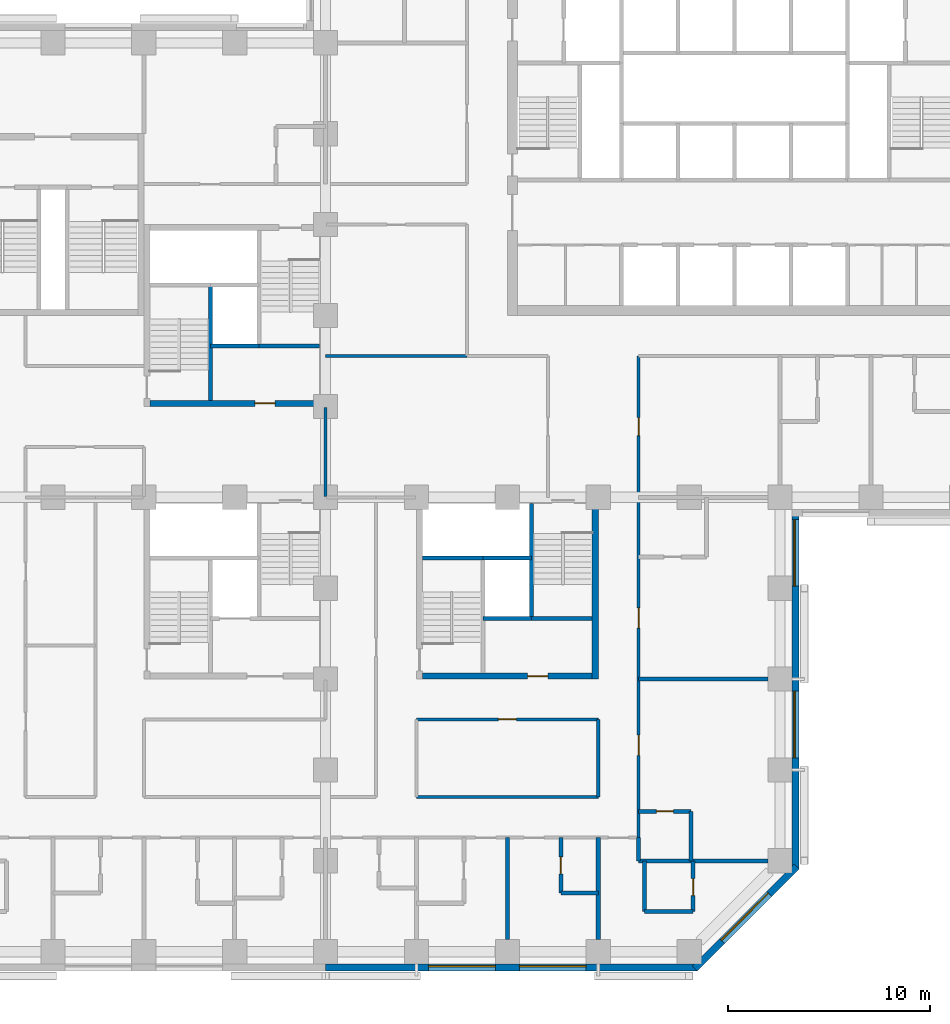
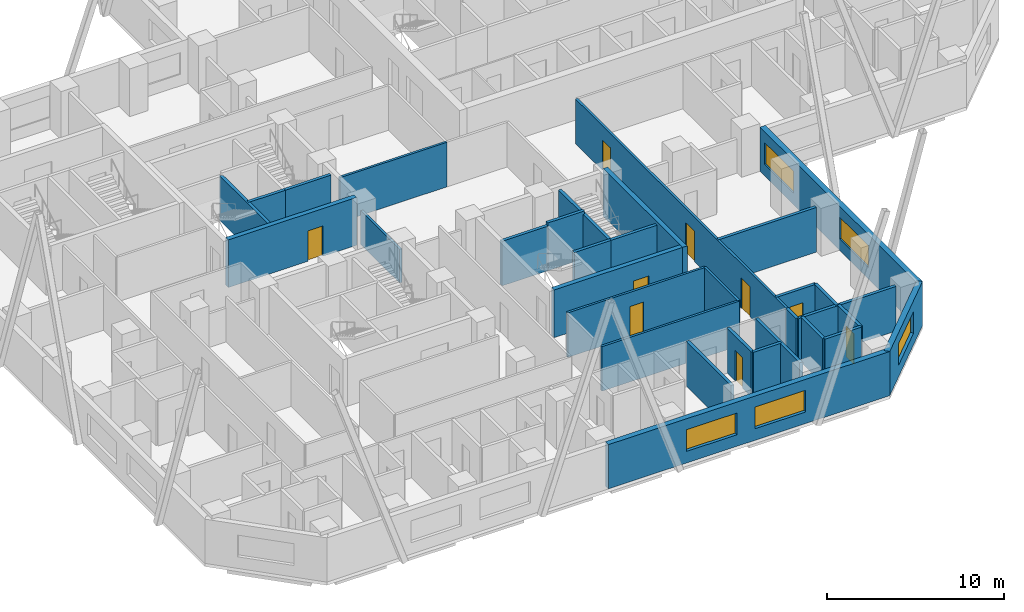
# One storey, part 5 of 13: 32 walls, 9 doors, 5 windows, 14 openings.
"""IFC4 building model written with IfcOpenShell, lengths in metres."""

from ifc_helpers import new_model, si_unit, direction, frame, frame_2d, origin, place, context, subcontext, project, spatial, rectangle, extrude, material, layer, layer_set, constituent, constituent_set, type_object, element, fill, save


model = new_model("IFC4")

# Units and contexts
model_context = context("Model", 3, precision=1e-05, world=origin(), true_north=direction((0.0, 1.0)))
body_context = subcontext(model_context, "Body", "Model", "MODEL_VIEW")
ifc_project = project(units=[si_unit("LENGTHUNIT", "METRE"), si_unit("AREAUNIT", "SQUARE_METRE"), si_unit("VOLUMEUNIT", "CUBIC_METRE"), si_unit("PLANEANGLEUNIT", "RADIAN"), si_unit("MASSUNIT", "GRAM", prefix="KILO")], contexts=[model_context])

# Site, building, storey
site_placement = place(None, origin())
site = spatial("IfcSite", under=ifc_project, at=site_placement, CompositionType="ELEMENT")
building_placement = place(site_placement, origin())
building = spatial("IfcBuilding", under=site, at=building_placement, Name="Quoin Convention Tower", CompositionType="ELEMENT")
storey_placement = place(building_placement, frame((0.0, 0.0, 26.39990234375)))
storey = spatial("IfcBuildingStorey", under=building, at=storey_placement, Name="L05", CompositionType="ELEMENT", Elevation=26.39990234375)

# Wall, openings, windows
ifc_material_1 = material(Name="Brick masonry", Category="masonry")
ifc_layer_1 = layer(ifc_material_1, 0.35009765625)
ifc_layer_set_1 = layer_set([ifc_layer_1], Name="Brick masonry")
wall_type_1 = type_object("IfcWallType", Name="Brick facade wall", PredefinedType="STANDARD", material=ifc_layer_set_1)
wall_1_placement = place(storey_placement, frame((36.0, 17.22509765625, 0.0), z_axis=(0.0, 0.0, 1.0), x_axis=(1.0, 0.0, 0.0)))
wall_1 = element("IfcWall", 1, at=wall_1_placement, inside=storey, type_object=wall_type_1, Name="fw-L05-36000_18000", PredefinedType="STANDARD", context=body_context, shape_type="SweptSolid", body=[
    extrude(rectangle(XDim=18.3935546875, YDim=0.35009765625, at=frame_2d((9.19677734375, 0.0))), origin(), (0.0, 0.0, 1.0), 3.05517578125),
])
opening_1_placement = place(wall_1_placement, frame((5.10009765625, 0.0, 0.800048828125)))
opening_1 = element("IfcOpeningElement", 2, at=opening_1_placement, cuts=wall_1, Name="Opening W-01", PredefinedType="OPENING", context=body_context, shape_type="SweptSolid", body=[
    extrude(rectangle(XDim=3.300048828125, YDim=1.5, at=frame_2d((1.64990234375, 0.75))), frame((0.0, 0.18505859375, 0.0), z_axis=(0.0, -1.0, 0.0), x_axis=(1.0, 0.0, 0.0)), (0.0, 0.0, 1.0), 0.3701171875),
])
opening_2_placement = place(wall_1_placement, frame((9.60009765625, 0.0, 0.800048828125)))
opening_2 = element("IfcOpeningElement", 3, at=opening_2_placement, cuts=wall_1, Name="Opening W-01", PredefinedType="OPENING", context=body_context, shape_type="SweptSolid", body=[
    extrude(rectangle(XDim=3.300048828125, YDim=1.5, at=frame_2d((1.64990234375, 0.75))), frame((0.0, 0.18505859375, 0.0), z_axis=(0.0, -1.0, 0.0), x_axis=(1.0, 0.0, 0.0)), (0.0, 0.0, 1.0), 0.3701171875),
])
ifc_material_2 = material(Name="Aluminium", Category="aluminium")
ifc_constituent_1 = constituent(ifc_material_2, Name="Frame")
ifc_material_3 = material(Name="Insulated glass", Category="glass")
ifc_constituent_2 = constituent(ifc_material_3, Name="Glazing")
ifc_constituent_set = constituent_set(constituents=[ifc_constituent_1, ifc_constituent_2], Name="Aluminium")
window_type = type_object("IfcWindowType", Name="Hotel strip window", PartitioningType="DOUBLE_PANEL_VERTICAL", PredefinedType="WINDOW", material=ifc_constituent_set)
window_1_placement = place(opening_1_placement, origin())
window_1 = element("IfcWindow", 4, at=window_1_placement, inside=storey, type_object=window_type, Name="win-L05-42750_17225", OverallHeight=1.5, OverallWidth=3.300048828125, PartitioningType="SINGLE_PANEL", PredefinedType="WINDOW", context=body_context, shape_type="SweptSolid", body=[
    extrude(rectangle(XDim=3.300048828125, YDim=1.5, at=frame_2d((1.64990234375, 0.75))), frame((0.0, 0.0849609375, 0.0), z_axis=(0.0, -1.0, 0.0), x_axis=(1.0, 0.0, 0.0)), (0.0, 0.0, 1.0), 0.06005859375),
])
fill(opening_1, window_1)
window_2_placement = place(opening_2_placement, origin())
window_2 = element("IfcWindow", 5, at=window_2_placement, inside=storey, type_object=window_type, Name="win-L05-47250_17225", OverallHeight=1.5, OverallWidth=3.300048828125, PartitioningType="SINGLE_PANEL", PredefinedType="WINDOW", context=body_context, shape_type="SweptSolid", body=[
    extrude(rectangle(XDim=3.300048828125, YDim=1.5, at=frame_2d((1.64990234375, 0.75))), frame((0.0, 0.0849609375, 0.0), z_axis=(0.0, -1.0, 0.0), x_axis=(1.0, 0.0, 0.0)), (0.0, 0.0, 1.0), 0.06005859375),
])
fill(opening_2, window_2)

# Wall, opening, window
wall_2_placement = place(storey_placement, frame((54.269775390625, 17.173583984375, 0.0), z_axis=(0.0, 0.0, 1.0), x_axis=(0.707106781187, 0.707106781187, 0.0)))
wall_2 = element("IfcWall", 6, at=wall_2_placement, inside=storey, type_object=wall_type_1, Name="fw-L05-54000_18000", PredefinedType="STANDARD", context=body_context, shape_type="SweptSolid", body=[
    extrude(rectangle(XDim=7.151123046875, YDim=0.35009765625, at=frame_2d((3.57568359375, 0.0))), origin(), (0.0, 0.0, 1.0), 3.05517578125),
])
opening_3_placement = place(wall_2_placement, frame((1.925537109375, 0.0, 0.800048828125)))
opening_3 = element("IfcOpeningElement", 7, at=opening_3_placement, cuts=wall_2, Name="Opening W-01", PredefinedType="OPENING", context=body_context, shape_type="SweptSolid", body=[
    extrude(rectangle(XDim=3.300048828125, YDim=1.5, at=frame_2d((1.64990234375, 0.75))), frame((0.0, 0.18505859375, 0.0), z_axis=(0.0, -1.0, 0.0), x_axis=(1.0, 0.0, 0.0)), (0.0, 0.0, 1.0), 0.3701171875),
])
window_3_placement = place(opening_3_placement, origin())
window_3 = element("IfcWindow", 8, at=window_3_placement, inside=storey, type_object=window_type, Name="win-L05-56798_19702", OverallHeight=1.5, OverallWidth=3.300048828125, PartitioningType="SINGLE_PANEL", PredefinedType="WINDOW", context=body_context, shape_type="SweptSolid", body=[
    extrude(rectangle(XDim=3.300048828125, YDim=1.5, at=frame_2d((1.64990234375, 0.75))), frame((0.0, 0.0849609375, 0.0), z_axis=(0.0, -1.0, 0.0), x_axis=(1.0, 0.0, 0.0)), (0.0, 0.0, 1.0), 0.06005859375),
])
fill(opening_3, window_3)

# Wall, openings, windows
wall_3_placement = place(storey_placement, frame((59.27490234375, 22.1064453125, 0.0), z_axis=(0.0, 0.0, 1.0), x_axis=(0.0, 1.0, 0.0)))
wall_3 = element("IfcWall", 9, at=wall_3_placement, inside=storey, type_object=wall_type_1, Name="fw-L05-58500_22500", PredefinedType="STANDARD", context=body_context, shape_type="SweptSolid", body=[
    extrude(rectangle(XDim=17.79345703125, YDim=0.35009765625, at=frame_2d((8.896728515625, 0.0))), origin(), (0.0, 0.0, 1.0), 3.05517578125),
])
opening_4_placement = place(wall_3_placement, frame((5.493408203125, 0.0, 0.800048828125)))
opening_4 = element("IfcOpeningElement", 10, at=opening_4_placement, cuts=wall_3, Name="Opening W-01", PredefinedType="OPENING", context=body_context, shape_type="SweptSolid", body=[
    extrude(rectangle(XDim=3.300048828125, YDim=1.5, at=frame_2d((1.64990234375, 0.75))), frame((0.0, 0.18505859375, 0.0), z_axis=(0.0, -1.0, 0.0), x_axis=(1.0, 0.0, 0.0)), (0.0, 0.0, 1.0), 0.3701171875),
])
opening_5_placement = place(wall_3_placement, frame((13.993408203125, 0.0, 0.800048828125)))
opening_5 = element("IfcOpeningElement", 11, at=opening_5_placement, cuts=wall_3, Name="Opening W-01", PredefinedType="OPENING", context=body_context, shape_type="SweptSolid", body=[
    extrude(rectangle(XDim=3.300048828125, YDim=1.5, at=frame_2d((1.64990234375, 0.75))), frame((0.0, 0.18505859375, 0.0), z_axis=(0.0, -1.0, 0.0), x_axis=(1.0, 0.0, 0.0)), (0.0, 0.0, 1.0), 0.3701171875),
])
window_4_placement = place(opening_4_placement, origin())
window_4 = element("IfcWindow", 12, at=window_4_placement, inside=storey, type_object=window_type, Name="win-L05-59275_29250", OverallHeight=1.5, OverallWidth=3.300048828125, PartitioningType="SINGLE_PANEL", PredefinedType="WINDOW", context=body_context, shape_type="SweptSolid", body=[
    extrude(rectangle(XDim=3.300048828125, YDim=1.5, at=frame_2d((1.64990234375, 0.75))), frame((0.0, 0.0849609375, 0.0), z_axis=(0.0, -1.0, 0.0), x_axis=(1.0, 0.0, 0.0)), (0.0, 0.0, 1.0), 0.06005859375),
])
fill(opening_4, window_4)
window_5_placement = place(opening_5_placement, origin())
window_5 = element("IfcWindow", 13, at=window_5_placement, inside=storey, type_object=window_type, Name="win-L05-59275_38250", OverallHeight=1.5, OverallWidth=3.300048828125, PartitioningType="SINGLE_PANEL", PredefinedType="WINDOW", context=body_context, shape_type="SweptSolid", body=[
    extrude(rectangle(XDim=3.300048828125, YDim=1.5, at=frame_2d((1.64990234375, 0.75))), frame((0.0, 0.0849609375, 0.0), z_axis=(0.0, -1.0, 0.0), x_axis=(1.0, 0.0, 0.0)), (0.0, 0.0, 1.0), 0.06005859375),
])
fill(opening_5, window_5)

# Walls
ifc_material_4 = material(Name="Concrete C50", Category="concrete")
ifc_layer_2 = layer(ifc_material_4, 0.199951171875)
ifc_layer_set_2 = layer_set([ifc_layer_2], Name="Concrete C50")
wall_type_2 = type_object("IfcWallType", Name="Core shaft wall", PredefinedType="SOLIDWALL", material=ifc_layer_set_2)
wall_4_placement = place(storey_placement, frame((30.300048828125, 48.0, 0.0), z_axis=(0.0, 0.0, 1.0), x_axis=(1.0, 0.0, 0.0)))
element("IfcWall", 14, at=wall_4_placement, inside=storey, type_object=wall_type_2, Name="cr-P2-L05-h3000_3300", PredefinedType="SOLIDWALL", context=body_context, shape_type="SweptSolid", body=[
    extrude(rectangle(XDim=2.39990234375, YDim=0.199951171875, at=frame_2d((1.199951171875, 0.0))), origin(), (0.0, 0.0, 1.0), 3.080078125),
])
wall_5_placement = place(storey_placement, frame((32.699951171875, 48.0, 0.0), z_axis=(0.0, 0.0, 1.0), x_axis=(1.0, 0.0, 0.0)))
element("IfcWall", 15, at=wall_5_placement, inside=storey, type_object=wall_type_2, Name="cr-P2-L05-h3000_5700", PredefinedType="SOLIDWALL", context=body_context, shape_type="SweptSolid", body=[
    extrude(rectangle(XDim=3.0, YDim=0.199951171875, at=frame_2d((1.5, 0.0))), origin(), (0.0, 0.0, 1.0), 3.080078125),
])
wall_6_placement = place(storey_placement, frame((30.300048828125, 45.300048828125, 0.0), z_axis=(0.0, 0.0, 1.0), x_axis=(0.0, 1.0, 0.0)))
element("IfcWall", 16, at=wall_6_placement, inside=storey, type_object=wall_type_2, Name="cr-P2-L05-v3300_300", PredefinedType="SOLIDWALL", context=body_context, shape_type="SweptSolid", body=[
    extrude(rectangle(XDim=5.699951171875, YDim=0.199951171875, at=frame_2d((2.85009765625, 0.0))), origin(), (0.0, 0.0, 1.0), 3.080078125),
])
wall_7_placement = place(storey_placement, frame((43.800048828125, 34.5, 0.0), z_axis=(0.0, 0.0, 1.0), x_axis=(1.0, 0.0, 0.0)))
element("IfcWall", 17, at=wall_7_placement, inside=storey, type_object=wall_type_2, Name="cr-P3-L05-h3000_3300", PredefinedType="SOLIDWALL", context=body_context, shape_type="SweptSolid", body=[
    extrude(rectangle(XDim=2.39990234375, YDim=0.199951171875, at=frame_2d((1.199951171875, 0.0))), origin(), (0.0, 0.0, 1.0), 3.080078125),
])
for number, where, z_axis, x_axis, name in (
    (18, (46.199951171875, 34.5, 0.0), (0.0, 0.0, 1.0), (1.0, 0.0, 0.0), "cr-P3-L05-h3000_5700"),
    (19, (40.800048828125, 37.5, 0.0), (0.0, 0.0, 1.0), (1.0, 0.0, 0.0), "cr-P3-L05-h6000_300"),
):
    element("IfcWall", number, at=place(storey_placement, frame(where, z_axis=z_axis, x_axis=x_axis)), inside=storey, type_object=wall_type_2, Name=name, PredefinedType="SOLIDWALL", context=body_context, shape_type="SweptSolid", body=[
        extrude(rectangle(XDim=3.0, YDim=0.199951171875, at=frame_2d((1.5, 0.0))), origin(), (0.0, 0.0, 1.0), 3.080078125),
    ])
wall_8_placement = place(storey_placement, frame((46.199951171875, 34.5, 0.0), z_axis=(0.0, 0.0, 1.0), x_axis=(0.0, 1.0, 0.0)))
element("IfcWall", 20, at=wall_8_placement, inside=storey, type_object=wall_type_2, Name="cr-P3-L05-v5700_3000", PredefinedType="SOLIDWALL", context=body_context, shape_type="SweptSolid", body=[
    extrude(rectangle(XDim=5.699951171875, YDim=0.199951171875, at=frame_2d((2.85009765625, 0.0))), origin(), (0.0, 0.0, 1.0), 3.080078125),
])
ifc_layer_3 = layer(ifc_material_4, 0.199951171875)
ifc_layer_set_3 = layer_set([ifc_layer_3], Name="Concrete C50")
wall_type_3 = type_object("IfcWallType", Name="Core shaft wall to the floor level over", PredefinedType="SOLIDWALL", material=ifc_layer_set_3)
wall_9_placement = place(storey_placement, frame((43.800048828125, 37.5, 0.0), z_axis=(0.0, 0.0, 1.0), x_axis=(1.0, 0.0, 0.0)))
element("IfcWall", 21, at=wall_9_placement, inside=storey, type_object=wall_type_3, Name="cr-P3-L05-h6000_3300", PredefinedType="SOLIDWALL", context=body_context, shape_type="SweptSolid", body=[
    extrude(rectangle(XDim=2.39990234375, YDim=0.199951171875, at=frame_2d((1.199951171875, 0.0))), origin(), (0.0, 0.0, 1.0), 3.300048828125),
])

# Wall, opening, door
ifc_material_5 = material(Name="Concrete C80", Category="concrete")
ifc_layer_4 = layer(ifc_material_5, 0.300048828125)
ifc_layer_set_4 = layer_set([ifc_layer_4], Name="Concrete C80")
wall_type_4 = type_object("IfcWallType", Name="RC CORE WALL 300 C80", PredefinedType="SHEAR", material=ifc_layer_set_4)
wall_10_placement = place(storey_placement, frame((27.300048828125, 45.14990234375, 0.0), z_axis=(0.0, 0.0, 1.0), x_axis=(1.0, 0.0, 0.0)))
wall_10 = element("IfcWall", 22, at=wall_10_placement, inside=storey, type_object=wall_type_4, Name="cwl-P2-L05-S", PredefinedType="SHEAR", context=body_context, shape_type="SweptSolid", body=[
    extrude(rectangle(XDim=8.39990234375, YDim=0.300048828125, at=frame_2d((4.199951171875, 0.0))), origin(), (0.0, 0.0, 1.0), 3.300048828125),
])
opening_6_placement = place(wall_10_placement, frame((5.199951171875, 0.0, 0.0)))
opening_6 = element("IfcOpeningElement", 23, at=opening_6_placement, cuts=wall_10, Name="Opening DCV2-41", PredefinedType="OPENING", context=body_context, shape_type="SweptSolid", body=[
    extrude(rectangle(XDim=1.0, YDim=2.10009765625, at=frame_2d((0.5, 1.050048828125))), frame((0.0, 0.159912109375, 0.0), z_axis=(0.0, -1.0, 0.0), x_axis=(1.0, 0.0, 0.0)), (0.0, 0.0, 1.0), 0.320068359375),
])
ifc_material_6 = material(Name="Steel door leaf", Category="steel")
door_type_1 = type_object("IfcDoorType", Name="Service door 1000 x 2100", OperationType="SINGLE_SWING_LEFT", PredefinedType="DOOR", material=ifc_material_6)
door_1_placement = place(opening_6_placement, origin())
door_1 = element("IfcDoor", 24, at=door_1_placement, inside=storey, type_object=door_type_1, Name="cd-P2-L05-R2-S", OperationType="SINGLE_SWING_LEFT", OverallHeight=2.10009765625, OverallWidth=1.0, PredefinedType="DOOR", context=body_context, shape_type="SweptSolid", body=[
    extrude(rectangle(XDim=1.0, YDim=2.10009765625, at=frame_2d((0.5, 1.050048828125))), frame((0.0, 0.02490234375, 0.0), z_axis=(0.0, -1.0, 0.0), x_axis=(1.0, 0.0, 0.0)), (0.0, 0.0, 1.0), 0.050048828125),
])
fill(opening_6, door_1)

wall_11_placement = place(storey_placement, frame((40.800048828125, 31.64990234375, 0.0), z_axis=(0.0, 0.0, 1.0), x_axis=(1.0, 0.0, 0.0)))
wall_11 = element("IfcWall", 25, at=wall_11_placement, inside=storey, type_object=wall_type_4, Name="cwl-P3-L05-S", PredefinedType="SHEAR", context=body_context, shape_type="SweptSolid", body=[
    extrude(rectangle(XDim=8.39990234375, YDim=0.300048828125, at=frame_2d((4.199951171875, 0.0))), origin(), (0.0, 0.0, 1.0), 3.300048828125),
])
opening_7_placement = place(wall_11_placement, frame((5.199951171875, 0.0, 0.0)))
opening_7 = element("IfcOpeningElement", 26, at=opening_7_placement, cuts=wall_11, Name="Opening DCV2-42", PredefinedType="OPENING", context=body_context, shape_type="SweptSolid", body=[
    extrude(rectangle(XDim=1.0, YDim=2.10009765625, at=frame_2d((0.5, 1.050048828125))), frame((0.0, 0.159912109375, 0.0), z_axis=(0.0, -1.0, 0.0), x_axis=(1.0, 0.0, 0.0)), (0.0, 0.0, 1.0), 0.320068359375),
])
door_2_placement = place(opening_7_placement, origin())
door_2 = element("IfcDoor", 27, at=door_2_placement, inside=storey, type_object=door_type_1, Name="cd-P3-L05-R2-S", OperationType="SINGLE_SWING_LEFT", OverallHeight=2.10009765625, OverallWidth=1.0, PredefinedType="DOOR", context=body_context, shape_type="SweptSolid", body=[
    extrude(rectangle(XDim=1.0, YDim=2.10009765625, at=frame_2d((0.5, 1.050048828125))), frame((0.0, 0.02490234375, 0.0), z_axis=(0.0, -1.0, 0.0), x_axis=(1.0, 0.0, 0.0)), (0.0, 0.0, 1.0), 0.050048828125),
])
fill(opening_7, door_2)

# Walls
wall_12_placement = place(storey_placement, frame((49.35009765625, 31.5, 0.0), z_axis=(0.0, 0.0, 1.0), x_axis=(0.0, 1.0, 0.0)))
element("IfcWall", 28, at=wall_12_placement, inside=storey, type_object=wall_type_4, Name="cwl-P3-L05-E", PredefinedType="SHEAR", context=body_context, shape_type="SweptSolid", body=[
    extrude(rectangle(XDim=9.0, YDim=0.300048828125, at=frame_2d((4.5, 0.0))), origin(), (0.0, 0.0, 1.0), 3.300048828125),
])
ifc_layer_5 = layer(ifc_material_4, 0.199951171875)
ifc_layer_set_5 = layer_set([ifc_layer_5], Name="Concrete C50")
wall_type_5 = type_object("IfcWallType", Name="RC party wall", PredefinedType="SOLIDWALL", material=ifc_layer_set_5)
for number, where, z_axis, x_axis, name in (
    (29, (45.0, 18.60009765625, 0.0), (0.0, 0.0, 1.0), (0.0, 1.0, 0.0), "pw-L05-042"),
    (30, (49.5, 18.60009765625, 0.0), (0.0, 0.0, 1.0), (0.0, 1.0, 0.0), "pw-L05-043"),
):
    element("IfcWall", number, at=place(storey_placement, frame(where, z_axis=z_axis, x_axis=x_axis)), inside=storey, type_object=wall_type_5, Name=name, PredefinedType="SOLIDWALL", context=body_context, shape_type="SweptSolid", body=[
        extrude(rectangle(XDim=5.0498046875, YDim=0.199951171875, at=frame_2d((2.52490234375, 0.0))), origin(), (0.0, 0.0, 1.0), 3.080078125),
    ])
wall_13_placement = place(storey_placement, frame((51.800048828125, 20.0, 0.0), z_axis=(0.0, 0.0, 1.0), x_axis=(1.0, 0.0, 0.0)))
element("IfcWall", 31, at=wall_13_placement, inside=storey, type_object=wall_type_5, Name="pw-L05-047", PredefinedType="SOLIDWALL", context=body_context, shape_type="SweptSolid", body=[
    extrude(rectangle(XDim=2.39990234375, YDim=0.199951171875, at=frame_2d((1.199951171875, 0.0))), origin(), (0.0, 0.0, 1.0), 3.080078125),
])
wall_14_placement = place(storey_placement, frame((51.800048828125, 20.0, 0.0), z_axis=(0.0, 0.0, 1.0), x_axis=(0.0, 1.0, 0.0)))
element("IfcWall", 32, at=wall_14_placement, inside=storey, type_object=wall_type_5, Name="pw-L05-048", PredefinedType="SOLIDWALL", context=body_context, shape_type="SweptSolid", body=[
    extrude(rectangle(XDim=2.5, YDim=0.199951171875, at=frame_2d((1.25, 0.0))), origin(), (0.0, 0.0, 1.0), 3.080078125),
])

# Wall, opening, door
wall_15_placement = place(storey_placement, frame((54.199951171875, 20.0, 0.0), z_axis=(0.0, 0.0, 1.0), x_axis=(0.0, 1.0, 0.0)))
wall_15 = element("IfcWall", 33, at=wall_15_placement, inside=storey, type_object=wall_type_5, Name="pw-L05-049", PredefinedType="SOLIDWALL", context=body_context, shape_type="SweptSolid", body=[
    extrude(rectangle(XDim=2.5, YDim=0.199951171875, at=frame_2d((1.25, 0.0))), origin(), (0.0, 0.0, 1.0), 3.080078125),
])
opening_8_placement = place(wall_15_placement, frame((0.77490234375, 0.0, 0.0)))
opening_8 = element("IfcOpeningElement", 34, at=opening_8_placement, cuts=wall_15, Name="Opening DHOTEL-A-40", PredefinedType="OPENING", context=body_context, shape_type="SweptSolid", body=[
    extrude(rectangle(XDim=0.85009765625, YDim=2.10009765625, at=frame_2d((0.425048828125, 1.050048828125))), frame((0.0, 0.10986328125, 0.0), z_axis=(0.0, -1.0, 0.0), x_axis=(1.0, 0.0, 0.0)), (0.0, 0.0, 1.0), 0.219970703125),
])
door_type_2 = type_object("IfcDoorType", Name="Bathroom door", OperationType="SINGLE_SWING_LEFT", PredefinedType="DOOR", material=ifc_material_6)
door_3_placement = place(opening_8_placement, frame((0.85009765625, 0.0, 0.0), z_axis=(0.0, 0.0, 1.0), x_axis=(-1.0, 0.0, 0.0)))
door_3 = element("IfcDoor", 35, at=door_3_placement, inside=storey, type_object=door_type_2, Name="dr-L05-056", OperationType="SINGLE_SWING_LEFT", OverallHeight=2.10009765625, OverallWidth=0.85009765625, PredefinedType="DOOR", context=body_context, shape_type="SweptSolid", body=[
    extrude(rectangle(XDim=0.85009765625, YDim=2.10009765625, at=frame_2d((0.425048828125, 1.050048828125))), frame((0.0, 0.02490234375, 0.0), z_axis=(0.0, -1.0, 0.0), x_axis=(1.0, 0.0, 0.0)), (0.0, 0.0, 1.0), 0.050048828125),
])
fill(opening_8, door_3)

# Wall
wall_16_placement = place(storey_placement, frame((47.64990234375, 20.89990234375, 0.0), z_axis=(0.0, 0.0, 1.0), x_axis=(1.0, 0.0, 0.0)))
element("IfcWall", 36, at=wall_16_placement, inside=storey, type_object=wall_type_5, Name="pw-L05-058", PredefinedType="SOLIDWALL", context=body_context, shape_type="SweptSolid", body=[
    extrude(rectangle(XDim=1.85009765625, YDim=0.199951171875, at=frame_2d((0.925048828125, 0.0))), origin(), (0.0, 0.0, 1.0), 3.080078125),
])

# Wall, opening, door
wall_17_placement = place(storey_placement, frame((47.64990234375, 20.89990234375, 0.0), z_axis=(0.0, 0.0, 1.0), x_axis=(0.0, 1.0, 0.0)))
wall_17 = element("IfcWall", 37, at=wall_17_placement, inside=storey, type_object=wall_type_5, Name="pw-L05-059", PredefinedType="SOLIDWALL", context=body_context, shape_type="SweptSolid", body=[
    extrude(rectangle(XDim=2.75, YDim=0.199951171875, at=frame_2d((1.375, 0.0))), origin(), (0.0, 0.0, 1.0), 3.080078125),
])
opening_9_placement = place(wall_17_placement, frame((0.949951171875, 0.0, 0.0)))
opening_9 = element("IfcOpeningElement", 38, at=opening_9_placement, cuts=wall_17, Name="Opening DHOTEL-A-45", PredefinedType="OPENING", context=body_context, shape_type="SweptSolid", body=[
    extrude(rectangle(XDim=0.85009765625, YDim=2.10009765625, at=frame_2d((0.425048828125, 1.050048828125))), frame((0.0, 0.10986328125, 0.0), z_axis=(0.0, -1.0, 0.0), x_axis=(1.0, 0.0, 0.0)), (0.0, 0.0, 1.0), 0.219970703125),
])
door_4_placement = place(opening_9_placement, origin())
door_4 = element("IfcDoor", 39, at=door_4_placement, inside=storey, type_object=door_type_2, Name="dr-L05-012", OperationType="SINGLE_SWING_RIGHT", OverallHeight=2.10009765625, OverallWidth=0.85009765625, PredefinedType="DOOR", context=body_context, shape_type="SweptSolid", body=[
    extrude(rectangle(XDim=0.85009765625, YDim=2.10009765625, at=frame_2d((0.425048828125, 1.050048828125))), frame((0.0, 0.02490234375, 0.0), z_axis=(0.0, -1.0, 0.0), x_axis=(1.0, 0.0, 0.0)), (0.0, 0.0, 1.0), 0.050048828125),
])
fill(opening_9, door_4)

# Walls
wall_18_placement = place(storey_placement, frame((51.5, 22.5, 0.0), z_axis=(0.0, 0.0, 1.0), x_axis=(1.0, 0.0, 0.0)))
element("IfcWall", 40, at=wall_18_placement, inside=storey, type_object=wall_type_5, Name="pw-L05-065", PredefinedType="SOLIDWALL", context=body_context, shape_type="SweptSolid", body=[
    extrude(rectangle(XDim=6.39990234375, YDim=0.199951171875, at=frame_2d((3.199951171875, 0.0))), origin(), (0.0, 0.0, 1.0), 3.080078125),
])
wall_19_placement = place(storey_placement, frame((51.5, 22.5, 0.0), z_axis=(0.0, 0.0, 1.0), x_axis=(0.0, 1.0, 0.0)))
element("IfcWall", 41, at=wall_19_placement, inside=storey, type_object=wall_type_5, Name="pw-L05-066", PredefinedType="SOLIDWALL", context=body_context, shape_type="SweptSolid", body=[
    extrude(rectangle(XDim=1.14990234375, YDim=0.199951171875, at=frame_2d((0.574951171875, 0.0))), origin(), (0.0, 0.0, 1.0), 3.080078125),
])
wall_20_placement = place(storey_placement, frame((54.10009765625, 22.5, 0.0), z_axis=(0.0, 0.0, 1.0), x_axis=(0.0, 1.0, 0.0)))
element("IfcWall", 42, at=wall_20_placement, inside=storey, type_object=wall_type_5, Name="pw-L05-067", PredefinedType="SOLIDWALL", context=body_context, shape_type="SweptSolid", body=[
    extrude(rectangle(XDim=2.449951171875, YDim=0.199951171875, at=frame_2d((1.22509765625, 0.0))), origin(), (0.0, 0.0, 1.0), 3.080078125),
])

# Wall, opening, door
wall_21_placement = place(storey_placement, frame((51.5, 24.949951171875, 0.0), z_axis=(0.0, 0.0, 1.0), x_axis=(1.0, 0.0, 0.0)))
wall_21 = element("IfcWall", 43, at=wall_21_placement, inside=storey, type_object=wall_type_5, Name="pw-L05-069", PredefinedType="SOLIDWALL", context=body_context, shape_type="SweptSolid", body=[
    extrude(rectangle(XDim=2.60009765625, YDim=0.199951171875, at=frame_2d((1.300048828125, 0.0))), origin(), (0.0, 0.0, 1.0), 3.080078125),
])
opening_10_placement = place(wall_21_placement, frame((0.875, 0.0, 0.0)))
opening_10 = element("IfcOpeningElement", 44, at=opening_10_placement, cuts=wall_21, Name="Opening DHOTEL-A-48", PredefinedType="OPENING", context=body_context, shape_type="SweptSolid", body=[
    extrude(rectangle(XDim=0.85009765625, YDim=2.10009765625, at=frame_2d((0.425048828125, 1.050048828125))), frame((0.0, 0.10986328125, 0.0), z_axis=(0.0, -1.0, 0.0), x_axis=(1.0, 0.0, 0.0)), (0.0, 0.0, 1.0), 0.219970703125),
])
door_5_placement = place(opening_10_placement, origin())
door_5 = element("IfcDoor", 45, at=door_5_placement, inside=storey, type_object=door_type_2, Name="dr-L05-024", OperationType="SINGLE_SWING_LEFT", OverallHeight=2.10009765625, OverallWidth=0.85009765625, PredefinedType="DOOR", context=body_context, shape_type="SweptSolid", body=[
    extrude(rectangle(XDim=0.85009765625, YDim=2.10009765625, at=frame_2d((0.425048828125, 1.050048828125))), frame((0.0, 0.02490234375, 0.0), z_axis=(0.0, -1.0, 0.0), x_axis=(1.0, 0.0, 0.0)), (0.0, 0.0, 1.0), 0.050048828125),
])
fill(opening_10, door_5)

# Wall
wall_22_placement = place(storey_placement, frame((51.5, 31.5, 0.0), z_axis=(0.0, 0.0, 1.0), x_axis=(1.0, 0.0, 0.0)))
element("IfcWall", 46, at=wall_22_placement, inside=storey, type_object=wall_type_5, Name="pw-L05-071", PredefinedType="SOLIDWALL", context=body_context, shape_type="SweptSolid", body=[
    extrude(rectangle(XDim=6.39990234375, YDim=0.199951171875, at=frame_2d((3.199951171875, 0.0))), origin(), (0.0, 0.0, 1.0), 3.080078125),
])

# Wall, openings, doors
ifc_material_7 = material(Name="Plasterboard")
ifc_layer_6 = layer(ifc_material_7, 0.012451171875, Name="Finish")
ifc_material_8 = material(Name="Steel stud framing", Category="steel")
ifc_layer_7 = layer(ifc_material_8, 0.125, Name="Structure")
ifc_layer_8 = layer(ifc_material_7, 0.012451171875, Name="Finish")
ifc_layer_set_6 = layer_set([ifc_layer_6, ifc_layer_7, ifc_layer_8], Name="Steel stud framing")
wall_type_6 = type_object("IfcWallType", Name="corridor partition", PredefinedType="PARTITIONING", material=ifc_layer_set_6)
wall_23_placement = place(storey_placement, frame((51.5, 23.64990234375, 0.0), z_axis=(0.0, 0.0, 1.0), x_axis=(0.0, 1.0, 0.0)))
wall_23 = element("IfcWall", 47, at=wall_23_placement, inside=storey, type_object=wall_type_6, Name="pw-L05-007", PredefinedType="PARTITIONING", context=body_context, shape_type="SweptSolid", body=[
    extrude(rectangle(XDim=23.85009765625, YDim=0.14990234375, at=frame_2d((11.925048828125, 0.0))), origin(), (0.0, 0.0, 1.0), 3.080078125),
])
opening_11_placement = place(wall_23_placement, frame((4.074951171875, 0.0, 0.0)))
opening_11 = element("IfcOpeningElement", 48, at=opening_11_placement, cuts=wall_23, Name="Opening DHOTEL-A-13", PredefinedType="OPENING", context=body_context, shape_type="SweptSolid", body=[
    extrude(rectangle(XDim=1.0, YDim=2.10009765625, at=frame_2d((0.5, 1.050048828125))), frame((0.0, 0.0849609375, 0.0), z_axis=(0.0, -1.0, 0.0), x_axis=(1.0, 0.0, 0.0)), (0.0, 0.0, 1.0), 0.169921875),
])
opening_12_placement = place(wall_23_placement, frame((10.375, 0.0, 0.0)))
opening_12 = element("IfcOpeningElement", 49, at=opening_12_placement, cuts=wall_23, Name="Opening DHOTEL-A-14", PredefinedType="OPENING", context=body_context, shape_type="SweptSolid", body=[
    extrude(rectangle(XDim=1.0, YDim=2.10009765625, at=frame_2d((0.5, 1.050048828125))), frame((0.0, 0.0849609375, 0.0), z_axis=(0.0, -1.0, 0.0), x_axis=(1.0, 0.0, 0.0)), (0.0, 0.0, 1.0), 0.169921875),
])
opening_13_placement = place(wall_23_placement, frame((19.89990234375, 0.0, 0.0)))
opening_13 = element("IfcOpeningElement", 50, at=opening_13_placement, cuts=wall_23, Name="Opening DHOTEL-A-15", PredefinedType="OPENING", context=body_context, shape_type="SweptSolid", body=[
    extrude(rectangle(XDim=0.89990234375, YDim=2.10009765625, at=frame_2d((0.449951171875, 1.050048828125))), frame((0.0, 0.0849609375, 0.0), z_axis=(0.0, -1.0, 0.0), x_axis=(1.0, 0.0, 0.0)), (0.0, 0.0, 1.0), 0.169921875),
])
door_type_3 = type_object("IfcDoorType", Name="Hotel room door", OperationType="SINGLE_SWING_LEFT", PredefinedType="DOOR", material=ifc_material_6)
door_6_placement = place(opening_11_placement, frame((1.0, 0.0, 0.0), z_axis=(0.0, 0.0, 1.0), x_axis=(-1.0, 0.0, 0.0)))
door_6 = element("IfcDoor", 51, at=door_6_placement, inside=storey, type_object=door_type_3, Name="dr-L05-023", OperationType="SINGLE_SWING_LEFT", OverallHeight=2.10009765625, OverallWidth=1.0, PredefinedType="DOOR", context=body_context, shape_type="SweptSolid", body=[
    extrude(rectangle(XDim=1.0, YDim=2.10009765625, at=frame_2d((0.5, 1.050048828125))), frame((0.0, 0.02490234375, 0.0), z_axis=(0.0, -1.0, 0.0), x_axis=(1.0, 0.0, 0.0)), (0.0, 0.0, 1.0), 0.050048828125),
])
fill(opening_11, door_6)
door_7_placement = place(opening_12_placement, frame((1.0, 0.0, 0.0), z_axis=(0.0, 0.0, 1.0), x_axis=(-1.0, 0.0, 0.0)))
door_7 = element("IfcDoor", 52, at=door_7_placement, inside=storey, type_object=door_type_3, Name="dr-L05-025", OperationType="SINGLE_SWING_LEFT", OverallHeight=2.10009765625, OverallWidth=1.0, PredefinedType="DOOR", context=body_context, shape_type="SweptSolid", body=[
    extrude(rectangle(XDim=1.0, YDim=2.10009765625, at=frame_2d((0.5, 1.050048828125))), frame((0.0, 0.02490234375, 0.0), z_axis=(0.0, -1.0, 0.0), x_axis=(1.0, 0.0, 0.0)), (0.0, 0.0, 1.0), 0.050048828125),
])
fill(opening_12, door_7)
door_type_4 = type_object("IfcDoorType", Name="Single room door", OperationType="SINGLE_SWING_RIGHT", PredefinedType="DOOR", material=ifc_material_6)
door_8_placement = place(opening_13_placement, frame((0.89990234375, 0.0, 0.0), z_axis=(0.0, 0.0, 1.0), x_axis=(-1.0, 0.0, 0.0)))
door_8 = element("IfcDoor", 53, at=door_8_placement, inside=storey, type_object=door_type_4, Name="dr-L05-074", OperationType="SINGLE_SWING_LEFT", OverallHeight=2.10009765625, OverallWidth=0.89990234375, PredefinedType="DOOR", context=body_context, shape_type="SweptSolid", body=[
    extrude(rectangle(XDim=0.89990234375, YDim=2.10009765625, at=frame_2d((0.449951171875, 1.050048828125))), frame((0.0, 0.02490234375, 0.0), z_axis=(0.0, -1.0, 0.0), x_axis=(1.0, 0.0, 0.0)), (0.0, 0.0, 1.0), 0.050048828125),
])
fill(opening_13, door_8)

# Walls
wall_24_placement = place(storey_placement, frame((40.5, 25.64990234375, 0.0), z_axis=(0.0, 0.0, 1.0), x_axis=(1.0, 0.0, 0.0)))
element("IfcWall", 54, at=wall_24_placement, inside=storey, type_object=wall_type_6, Name="pw-L05-014", PredefinedType="PARTITIONING", context=body_context, shape_type="SweptSolid", body=[
    extrude(rectangle(XDim=9.0, YDim=0.14990234375, at=frame_2d((4.5, 0.0))), origin(), (0.0, 0.0, 1.0), 3.080078125),
])
wall_25_placement = place(storey_placement, frame((49.5, 25.64990234375, 0.0), z_axis=(0.0, 0.0, 1.0), x_axis=(0.0, 1.0, 0.0)))
element("IfcWall", 55, at=wall_25_placement, inside=storey, type_object=wall_type_6, Name="pw-L05-016", PredefinedType="PARTITIONING", context=body_context, shape_type="SweptSolid", body=[
    extrude(rectangle(XDim=3.85009765625, YDim=0.14990234375, at=frame_2d((1.925048828125, 0.0))), origin(), (0.0, 0.0, 1.0), 3.080078125),
])

# Wall, opening, door
wall_26_placement = place(storey_placement, frame((40.5, 29.5, 0.0), z_axis=(0.0, 0.0, 1.0), x_axis=(1.0, 0.0, 0.0)))
wall_26 = element("IfcWall", 56, at=wall_26_placement, inside=storey, type_object=wall_type_6, Name="pw-L05-019", PredefinedType="PARTITIONING", context=body_context, shape_type="SweptSolid", body=[
    extrude(rectangle(XDim=9.0, YDim=0.14990234375, at=frame_2d((4.5, 0.0))), origin(), (0.0, 0.0, 1.0), 3.080078125),
])
opening_14_placement = place(wall_26_placement, frame((4.050048828125, 0.0, 0.0)))
opening_14 = element("IfcOpeningElement", 57, at=opening_14_placement, cuts=wall_26, Name="Opening DHOTEL-A-19", PredefinedType="OPENING", context=body_context, shape_type="SweptSolid", body=[
    extrude(rectangle(XDim=0.89990234375, YDim=2.10009765625, at=frame_2d((0.449951171875, 1.050048828125))), frame((0.0, 0.0849609375, 0.0), z_axis=(0.0, -1.0, 0.0), x_axis=(1.0, 0.0, 0.0)), (0.0, 0.0, 1.0), 0.169921875),
])
door_type_5 = type_object("IfcDoorType", Name="Service room door", OperationType="SINGLE_SWING_LEFT", PredefinedType="DOOR", material=ifc_material_6)
door_9_placement = place(opening_14_placement, frame((0.89990234375, 0.0, 0.0), z_axis=(0.0, 0.0, 1.0), x_axis=(-1.0, 0.0, 0.0)))
door_9 = element("IfcDoor", 58, at=door_9_placement, inside=storey, type_object=door_type_5, Name="dr-L05-068", OperationType="SINGLE_SWING_LEFT", OverallHeight=2.10009765625, OverallWidth=0.89990234375, PredefinedType="DOOR", context=body_context, shape_type="SweptSolid", body=[
    extrude(rectangle(XDim=0.89990234375, YDim=2.10009765625, at=frame_2d((0.449951171875, 1.050048828125))), frame((0.0, 0.02490234375, 0.0), z_axis=(0.0, -1.0, 0.0), x_axis=(1.0, 0.0, 0.0)), (0.0, 0.0, 1.0), 0.050048828125),
])
fill(opening_14, door_9)

# Walls
ifc_layer_9 = layer(ifc_material_7, 0.012451171875, Name="Finish")
ifc_layer_10 = layer(ifc_material_8, 0.125, Name="Structure")
ifc_layer_11 = layer(ifc_material_7, 0.012451171875, Name="Finish")
ifc_layer_set_7 = layer_set([ifc_layer_9, ifc_layer_10, ifc_layer_11], Name="Steel stud framing")
wall_type_7 = type_object("IfcWallType", Name="corridor partition under beam 750", PredefinedType="PARTITIONING", material=ifc_layer_set_7)
wall_27_placement = place(storey_placement, frame((36.0, 40.550048828125, 0.0), z_axis=(0.0, 0.0, 1.0), x_axis=(0.0, 1.0, 0.0)))
element("IfcWall", 59, at=wall_27_placement, inside=storey, type_object=wall_type_7, Name="pw-L05-023", PredefinedType="PARTITIONING", context=body_context, shape_type="SweptSolid", body=[
    extrude(rectangle(XDim=4.39990234375, YDim=0.14990234375, at=frame_2d((2.199951171875, 0.0))), origin(), (0.0, 0.0, 1.0), 2.330078125),
])
ifc_layer_12 = layer(ifc_material_7, 0.012451171875, Name="Finish")
ifc_layer_13 = layer(ifc_material_8, 0.125, Name="Structure")
ifc_layer_14 = layer(ifc_material_7, 0.012451171875, Name="Finish")
ifc_layer_set_8 = layer_set([ifc_layer_12, ifc_layer_13, ifc_layer_14], Name="Steel stud framing")
wall_type_8 = type_object("IfcWallType", Name="room partition", PredefinedType="PARTITIONING", material=ifc_layer_set_8)
wall_28_placement = place(storey_placement, frame((36.0, 47.5, 0.0), z_axis=(0.0, 0.0, 1.0), x_axis=(1.0, 0.0, 0.0)))
element("IfcWall", 60, at=wall_28_placement, inside=storey, type_object=wall_type_8, Name="pw-L05-152", PredefinedType="PARTITIONING", context=body_context, shape_type="SweptSolid", body=[
    extrude(rectangle(XDim=7.0, YDim=0.14990234375, at=frame_2d((3.5, 0.0))), origin(), (0.0, 0.0, 1.0), 3.080078125),
])

save(model, "model.ifc")
